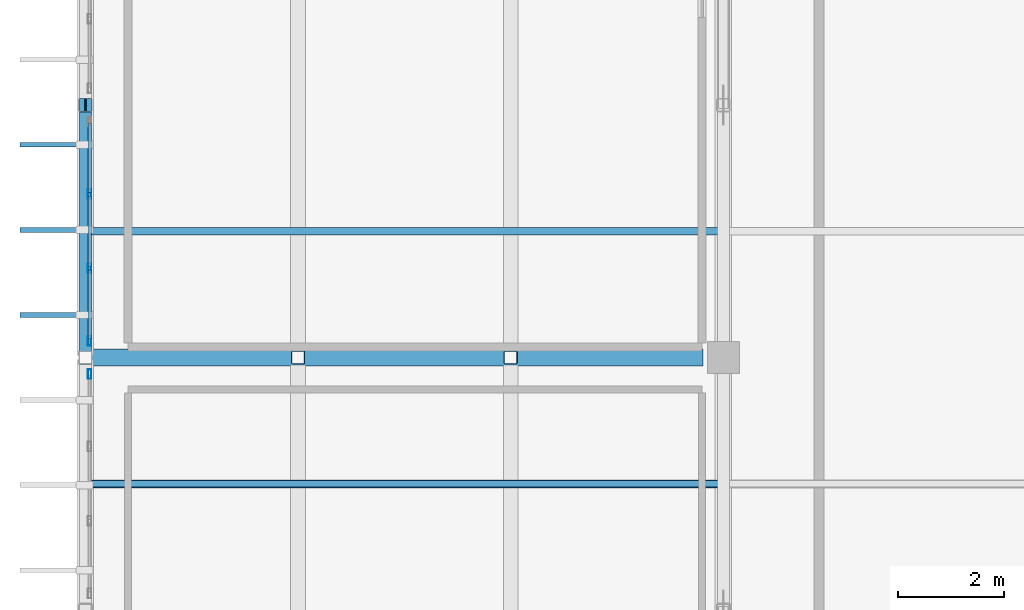
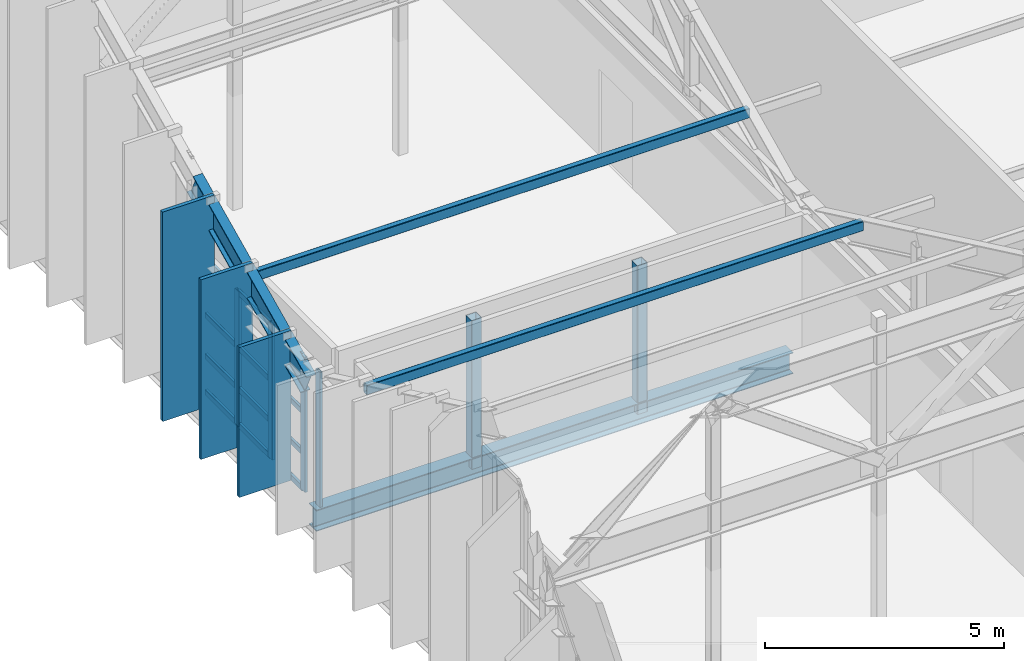
# One storey, part 18 of 68: 23 members, 2 beams, 2 elements without a shape of their own.
"""IFC4 building model written with IfcOpenShell, lengths in metres."""

from ifc_helpers import new_model, si_unit, direction, frame, origin, origin_2d, place, context, subcontext, project, spatial, rectangle, hollow_rectangle, i_section, extrude, material, material_profile, profile_set, type_object, element, aggregate, save


model = new_model("IFC4")

# Units and contexts
model_context = context("Model", 3, precision=1e-05, world=origin(), true_north=direction((0.0, 1.0)))
body_context = subcontext(model_context, "Body", "Model", "MODEL_VIEW")
ifc_project = project(units=[si_unit("LENGTHUNIT", "METRE"), si_unit("AREAUNIT", "SQUARE_METRE"), si_unit("VOLUMEUNIT", "CUBIC_METRE"), si_unit("PLANEANGLEUNIT", "RADIAN"), si_unit("MASSUNIT", "GRAM", prefix="KILO")], contexts=[model_context])

# Site, building, storey
site_placement = place(None, origin())
site = spatial("IfcSite", under=ifc_project, at=site_placement, CompositionType="ELEMENT")
building_placement = place(site_placement, origin())
building = spatial("IfcBuilding", under=site, at=building_placement, Name="Miravela Opera House", CompositionType="ELEMENT")
storey_placement = place(building_placement, frame((0.0, 0.0, 21.760009765625)))
storey = spatial("IfcBuildingStorey", under=building, at=storey_placement, Name="L05", CompositionType="ELEMENT", Elevation=21.760009765625)

# Curtain wall, member
ifc_material_1 = material(Name="Anodised architectural bronze aluminium 6063-T6", Category="aluminium")
curtain_wall_type = type_object("IfcCurtainWallType", Name="ARC-CW-03", PredefinedType="NOTDEFINED", material=ifc_material_1)
curtain_wall_1_placement = place(storey_placement, origin())
curtain_wall_1 = element("IfcCurtainWall", 1, at=curtain_wall_1_placement, inside=storey, type_object=curtain_wall_type, Name="Cantilever West Wrapper Glazing B4 CW-L05-050", PredefinedType="NOTDEFINED")
ifc_material_profile_1 = material_profile(ifc_material_1, hollow_rectangle(XDim=0.06494140625, YDim=0.179931640625, WallThickness=0.00390625, InnerFilletRadius=0.001953125, OuterFilletRadius=0.00390625, at=origin_2d()), Name="CWM-65X180")
ifc_profile_set_1 = profile_set([ifc_material_profile_1])
member_type_1 = type_object("IfcMemberType", Name="ARC-CWM-180", PredefinedType="MULLION", material=ifc_profile_set_1)
member_1_placement = place(storey_placement, frame((15.080078125, 55.6875, 0.0), z_axis=(0.0, 0.0, 1.0), x_axis=(-1.0, 0.0, 0.0)))
member_1 = element("IfcMember", 2, at=member_1_placement, type_object=member_type_1, Name="CW-03 mullion 4", PredefinedType="MULLION", context=body_context, shape_type="SweptSolid", body=[
    extrude(hollow_rectangle(XDim=0.06494140625, YDim=0.179931640625, WallThickness=0.00390625, InnerFilletRadius=0.001953125, OuterFilletRadius=0.00390625, at=origin_2d()), origin(), (0.0, 0.0, 1.0), 3.442626953125),
])
aggregate(curtain_wall_1, [member_1])

# Curtain wall, members
curtain_wall_2_placement = place(storey_placement, origin())
curtain_wall_2 = element("IfcCurtainWall", 3, at=curtain_wall_2_placement, inside=storey, type_object=curtain_wall_type, Name="Cantilever West Wrapper Glazing B5 CW-L05-051", PredefinedType="NOTDEFINED")
member_2_placement = place(storey_placement, frame((15.080078125, 56.3125, 0.0), z_axis=(0.0, 0.0, 1.0), x_axis=(-1.0, 0.0, 0.0)))
member_2 = element("IfcMember", 4, at=member_2_placement, type_object=member_type_1, Name="CW-03 mullion 1", PredefinedType="MULLION", context=body_context, shape_type="SweptSolid", body=[
    extrude(hollow_rectangle(XDim=0.06494140625, YDim=0.179931640625, WallThickness=0.00390625, InnerFilletRadius=0.001953125, OuterFilletRadius=0.00390625, at=origin_2d()), origin(), (0.0, 0.0, 1.0), 3.442626953125),
])
member_3_placement = place(storey_placement, frame((15.080078125, 57.6767578125, 0.0), z_axis=(0.0, 0.0, 1.0), x_axis=(-1.0, 0.0, 0.0)))
member_3 = element("IfcMember", 5, at=member_3_placement, type_object=member_type_1, Name="CW-03 mullion 2", PredefinedType="MULLION", context=body_context, shape_type="SweptSolid", body=[
    extrude(hollow_rectangle(XDim=0.06494140625, YDim=0.179931640625, WallThickness=0.00390625, InnerFilletRadius=0.001953125, OuterFilletRadius=0.00390625, at=origin_2d()), origin(), (0.0, 0.0, 1.0), 3.442626953125),
])
member_4_placement = place(storey_placement, frame((15.080078125, 59.0732421875, 0.0), z_axis=(0.0, 0.0, 1.0), x_axis=(-1.0, 0.0, 0.0)))
member_4 = element("IfcMember", 6, at=member_4_placement, type_object=member_type_1, Name="CW-03 mullion 3", PredefinedType="MULLION", context=body_context, shape_type="SweptSolid", body=[
    extrude(hollow_rectangle(XDim=0.06494140625, YDim=0.179931640625, WallThickness=0.00390625, InnerFilletRadius=0.001953125, OuterFilletRadius=0.00390625, at=origin_2d()), origin(), (0.0, 0.0, 1.0), 3.442626953125),
])
ifc_material_profile_2 = material_profile(ifc_material_1, hollow_rectangle(XDim=0.06494140625, YDim=0.139892578125, WallThickness=0.00390625, InnerFilletRadius=0.001953125, OuterFilletRadius=0.00390625, at=origin_2d()), Name="CWT-65X140")
ifc_profile_set_2 = profile_set([ifc_material_profile_2])
member_type_2 = type_object("IfcMemberType", Name="ARC-CWT-140", PredefinedType="USERDEFINED", material=ifc_profile_set_2)
member_5_placement = place(storey_placement, frame((15.080078125, 56.344970703125, 0.032470703125), z_axis=(0.0, 1.0, 0.0), x_axis=(-1.0, 0.0, 0.0)))
member_5 = element("IfcMember", 7, at=member_5_placement, type_object=member_type_2, Name="CW-03 transom 1.1", ObjectType="TRANSOM", PredefinedType="USERDEFINED", context=body_context, shape_type="SweptSolid", body=[
    extrude(hollow_rectangle(XDim=0.06494140625, YDim=0.139892578125, WallThickness=0.00390625, InnerFilletRadius=0.001953125, OuterFilletRadius=0.00390625, at=origin_2d()), origin(), (0.0, 0.0, 1.0), 1.29931640625),
])
member_6_placement = place(storey_placement, frame((15.080078125, 56.344970703125, 0.949951171875), z_axis=(0.0, 1.0, 0.0), x_axis=(-1.0, 0.0, 0.0)))
member_6 = element("IfcMember", 8, at=member_6_placement, type_object=member_type_2, Name="CW-03 transom 1.2", ObjectType="TRANSOM", PredefinedType="USERDEFINED", context=body_context, shape_type="SweptSolid", body=[
    extrude(hollow_rectangle(XDim=0.06494140625, YDim=0.139892578125, WallThickness=0.00390625, InnerFilletRadius=0.001953125, OuterFilletRadius=0.00390625, at=origin_2d()), origin(), (0.0, 0.0, 1.0), 1.29931640625),
])
member_7_placement = place(storey_placement, frame((15.080078125, 56.344970703125, 1.99658203125), z_axis=(0.0, 1.0, 0.0), x_axis=(-1.0, 0.0, 0.0)))
member_7 = element("IfcMember", 9, at=member_7_placement, type_object=member_type_2, Name="CW-03 transom 1.3", ObjectType="TRANSOM", PredefinedType="USERDEFINED", context=body_context, shape_type="SweptSolid", body=[
    extrude(hollow_rectangle(XDim=0.06494140625, YDim=0.139892578125, WallThickness=0.00390625, InnerFilletRadius=0.001953125, OuterFilletRadius=0.00390625, at=origin_2d()), origin(), (0.0, 0.0, 1.0), 1.29931640625),
])
member_8_placement = place(storey_placement, frame((15.080078125, 56.344970703125, 3.41015625), z_axis=(0.0, 1.0, 0.0), x_axis=(-1.0, 0.0, 0.0)))
member_8 = element("IfcMember", 10, at=member_8_placement, type_object=member_type_2, Name="CW-03 transom 1.4", ObjectType="TRANSOM", PredefinedType="USERDEFINED", context=body_context, shape_type="SweptSolid", body=[
    extrude(hollow_rectangle(XDim=0.06494140625, YDim=0.139892578125, WallThickness=0.00390625, InnerFilletRadius=0.001953125, OuterFilletRadius=0.00390625, at=origin_2d()), origin(), (0.0, 0.0, 1.0), 1.29931640625),
])
member_9_placement = place(storey_placement, frame((15.080078125, 57.709228515625, 0.032470703125), z_axis=(0.0, 1.0, 0.0), x_axis=(-1.0, 0.0, 0.0)))
member_9 = element("IfcMember", 11, at=member_9_placement, type_object=member_type_2, Name="CW-03 transom 2.1", ObjectType="TRANSOM", PredefinedType="USERDEFINED", context=body_context, shape_type="SweptSolid", body=[
    extrude(hollow_rectangle(XDim=0.06494140625, YDim=0.139892578125, WallThickness=0.00390625, InnerFilletRadius=0.001953125, OuterFilletRadius=0.00390625, at=origin_2d()), origin(), (0.0, 0.0, 1.0), 1.33154296875),
])
member_10_placement = place(storey_placement, frame((15.080078125, 57.709228515625, 0.949951171875), z_axis=(0.0, 1.0, 0.0), x_axis=(-1.0, 0.0, 0.0)))
member_10 = element("IfcMember", 12, at=member_10_placement, type_object=member_type_2, Name="CW-03 transom 2.2", ObjectType="TRANSOM", PredefinedType="USERDEFINED", context=body_context, shape_type="SweptSolid", body=[
    extrude(hollow_rectangle(XDim=0.06494140625, YDim=0.139892578125, WallThickness=0.00390625, InnerFilletRadius=0.001953125, OuterFilletRadius=0.00390625, at=origin_2d()), origin(), (0.0, 0.0, 1.0), 1.33154296875),
])
member_11_placement = place(storey_placement, frame((15.080078125, 57.709228515625, 1.99658203125), z_axis=(0.0, 1.0, 0.0), x_axis=(-1.0, 0.0, 0.0)))
member_11 = element("IfcMember", 13, at=member_11_placement, type_object=member_type_2, Name="CW-03 transom 2.3", ObjectType="TRANSOM", PredefinedType="USERDEFINED", context=body_context, shape_type="SweptSolid", body=[
    extrude(hollow_rectangle(XDim=0.06494140625, YDim=0.139892578125, WallThickness=0.00390625, InnerFilletRadius=0.001953125, OuterFilletRadius=0.00390625, at=origin_2d()), origin(), (0.0, 0.0, 1.0), 1.33154296875),
])
member_12_placement = place(storey_placement, frame((15.080078125, 57.709228515625, 3.41015625), z_axis=(0.0, 1.0, 0.0), x_axis=(-1.0, 0.0, 0.0)))
member_12 = element("IfcMember", 14, at=member_12_placement, type_object=member_type_2, Name="CW-03 transom 2.4", ObjectType="TRANSOM", PredefinedType="USERDEFINED", context=body_context, shape_type="SweptSolid", body=[
    extrude(hollow_rectangle(XDim=0.06494140625, YDim=0.139892578125, WallThickness=0.00390625, InnerFilletRadius=0.001953125, OuterFilletRadius=0.00390625, at=origin_2d()), origin(), (0.0, 0.0, 1.0), 1.33154296875),
])
member_13_placement = place(storey_placement, frame((15.080078125, 59.105712890625, 0.032470703125), z_axis=(0.0, 1.0, 0.0), x_axis=(-1.0, 0.0, 0.0)))
member_13 = element("IfcMember", 15, at=member_13_placement, type_object=member_type_2, Name="CW-03 transom 3.1", ObjectType="TRANSOM", PredefinedType="USERDEFINED", context=body_context, shape_type="SweptSolid", body=[
    extrude(hollow_rectangle(XDim=0.06494140625, YDim=0.139892578125, WallThickness=0.00390625, InnerFilletRadius=0.001953125, OuterFilletRadius=0.00390625, at=origin_2d()), origin(), (0.0, 0.0, 1.0), 1.29931640625),
])
member_14_placement = place(storey_placement, frame((15.080078125, 59.105712890625, 0.949951171875), z_axis=(0.0, 1.0, 0.0), x_axis=(-1.0, 0.0, 0.0)))
member_14 = element("IfcMember", 16, at=member_14_placement, type_object=member_type_2, Name="CW-03 transom 3.2", ObjectType="TRANSOM", PredefinedType="USERDEFINED", context=body_context, shape_type="SweptSolid", body=[
    extrude(hollow_rectangle(XDim=0.06494140625, YDim=0.139892578125, WallThickness=0.00390625, InnerFilletRadius=0.001953125, OuterFilletRadius=0.00390625, at=origin_2d()), origin(), (0.0, 0.0, 1.0), 1.29931640625),
])
member_15_placement = place(storey_placement, frame((15.080078125, 59.105712890625, 1.99658203125), z_axis=(0.0, 1.0, 0.0), x_axis=(-1.0, 0.0, 0.0)))
member_15 = element("IfcMember", 17, at=member_15_placement, type_object=member_type_2, Name="CW-03 transom 3.3", ObjectType="TRANSOM", PredefinedType="USERDEFINED", context=body_context, shape_type="SweptSolid", body=[
    extrude(hollow_rectangle(XDim=0.06494140625, YDim=0.139892578125, WallThickness=0.00390625, InnerFilletRadius=0.001953125, OuterFilletRadius=0.00390625, at=origin_2d()), origin(), (0.0, 0.0, 1.0), 1.29931640625),
])
member_16_placement = place(storey_placement, frame((15.080078125, 59.105712890625, 3.41015625), z_axis=(0.0, 1.0, 0.0), x_axis=(-1.0, 0.0, 0.0)))
member_16 = element("IfcMember", 18, at=member_16_placement, type_object=member_type_2, Name="CW-03 transom 3.4", ObjectType="TRANSOM", PredefinedType="USERDEFINED", context=body_context, shape_type="SweptSolid", body=[
    extrude(hollow_rectangle(XDim=0.06494140625, YDim=0.139892578125, WallThickness=0.00390625, InnerFilletRadius=0.001953125, OuterFilletRadius=0.00390625, at=origin_2d()), origin(), (0.0, 0.0, 1.0), 1.29931640625),
])
aggregate(curtain_wall_2, [member_2, member_3, member_4, member_5, member_6, member_7, member_8, member_9, member_10, member_11, member_12, member_13, member_14, member_15, member_16])

# Members
ifc_material_profile_3 = material_profile(ifc_material_1, rectangle(XDim=0.090087890625, YDim=1.25, at=origin_2d()), Name="FIN-1250X90")
ifc_profile_set_3 = profile_set([ifc_material_profile_3])
member_type_3 = type_object("IfcMemberType", Name="ARC-FIN-1250", PredefinedType="USERDEFINED", material=ifc_profile_set_3)
member_17_placement = place(storey_placement, frame((14.39501953125, 56.800048828125, 0.0), z_axis=(0.0, 0.0, 1.0), x_axis=(0.0, 1.0, 0.0)))
element("IfcMember", 19, at=member_17_placement, inside=storey, type_object=member_type_3, Name="Auditorium Wrapper Bronze Solar Fin FIN-L05-WEST-0153", ObjectType="FIN", PredefinedType="USERDEFINED", context=body_context, shape_type="SweptSolid", body=[
    extrude(rectangle(XDim=0.090087890625, YDim=1.25, at=origin_2d()), origin(), (0.0, 0.0, 1.0), 3.828857421875),
])
member_18_placement = place(storey_placement, frame((14.39501953125, 58.39990234375, 0.0), z_axis=(0.0, 0.0, 1.0), x_axis=(0.0, 1.0, 0.0)))
element("IfcMember", 20, at=member_18_placement, inside=storey, type_object=member_type_3, Name="Auditorium Wrapper Bronze Solar Fin FIN-L05-WEST-0154", ObjectType="FIN", PredefinedType="USERDEFINED", context=body_context, shape_type="SweptSolid", body=[
    extrude(rectangle(XDim=0.090087890625, YDim=1.25, at=origin_2d()), origin(), (0.0, 0.0, 1.0), 4.586669921875),
])
member_19_placement = place(storey_placement, frame((14.39501953125, 60.0, 0.0), z_axis=(0.0, 0.0, 1.0), x_axis=(0.0, 1.0, 0.0)))
element("IfcMember", 21, at=member_19_placement, inside=storey, type_object=member_type_3, Name="Auditorium Wrapper Bronze Solar Fin FIN-L05-WEST-0155", ObjectType="FIN", PredefinedType="USERDEFINED", context=body_context, shape_type="SweptSolid", body=[
    extrude(rectangle(XDim=0.090087890625, YDim=1.25, at=origin_2d()), origin(), (0.0, 0.0, 1.0), 5.3447265625),
])

# Beams
ifc_material_2 = material(Name="Structural steel ASTM A992 Gr. 50", Category="steel")
ifc_material_profile_4 = material_profile(ifc_material_2, i_section(OverallWidth=0.31201171875, OverallDepth=0.54296875, WebThickness=0.0126953125, FlangeThickness=0.020263671875, FilletRadius=0.01611328125, at=origin_2d()), Name="W530X150")
ifc_profile_set_4 = profile_set([ifc_material_profile_4])
beam_type_1 = type_object("IfcBeamType", Name="STR-BM-W530X150", PredefinedType="BEAM", material=ifc_profile_set_4)
beam_1_placement = place(storey_placement, frame((15.110107421875, 56.0, -0.511474609375), z_axis=(1.0, 0.0, 0.0), x_axis=(0.0, 1.0, 0.0)))
element("IfcBeam", 22, at=beam_1_placement, inside=storey, type_object=beam_type_1, Name="Cantilever Chord L05 T3", PredefinedType="BEAM", context=body_context, shape_type="SweptSolid", body=[
    extrude(i_section(OverallWidth=0.31201171875, OverallDepth=0.54296875, WebThickness=0.0126953125, FlangeThickness=0.020263671875, FilletRadius=0.01611328125, at=origin_2d()), origin(), (0.0, 0.0, 1.0), 11.510009765625),
])
ifc_material_profile_5 = material_profile(ifc_material_2, i_section(OverallWidth=0.22998046875, OverallDepth=0.616943359375, WebThickness=0.01318359375, FlangeThickness=0.022216796875, FilletRadius=0.01806640625, at=origin_2d()), Name="W610X140")
ifc_profile_set_5 = profile_set([ifc_material_profile_5])
beam_type_2 = type_object("IfcBeamType", Name="STR-BM-W610X140", PredefinedType="BEAM", material=ifc_profile_set_5)
beam_2_placement = place(storey_placement, frame((15.0, 56.0, 2.939453125), z_axis=(0.0, 0.903737838894, 0.428086344739), x_axis=(-1.0, 0.0, 0.0)))
element("IfcBeam", 23, at=beam_2_placement, inside=storey, type_object=beam_type_2, Name="V-Crest Roof Rafter Girder X=15 Seg 5", PredefinedType="BEAM", context=body_context, shape_type="SweptSolid", body=[
    extrude(i_section(OverallWidth=0.22998046875, OverallDepth=0.616943359375, WebThickness=0.01318359375, FlangeThickness=0.022216796875, FilletRadius=0.01806640625, at=origin_2d()), origin(), (0.0, 0.0, 1.0), 5.255859375),
])

# Members
ifc_material_3 = material(Name="Hollow structural steel ASTM A500 Gr. C", Category="steel")
ifc_material_profile_6 = material_profile(ifc_material_3, hollow_rectangle(XDim=0.25, YDim=0.25, WallThickness=0.011962890625, InnerFilletRadius=0.011962890625, OuterFilletRadius=0.02392578125, at=origin_2d()), Name="HSS250X250X12")
ifc_profile_set_6 = profile_set([ifc_material_profile_6])
member_type_4 = type_object("IfcMemberType", Name="STR-MEM-CANT-POST2", PredefinedType="POST", material=ifc_profile_set_6)
for number, where, z_axis, x_axis, name in (
    (24, (19.0, 56.0, -0.5400390625), (0.0, 0.0, 1.0), (1.0, 0.0, 0.0), "Upper Wrapper Truss Post L05 X=19.0"),
    (25, (23.0, 56.0, -0.5400390625), (0.0, 0.0, 1.0), (1.0, 0.0, 0.0), "Upper Wrapper Truss Post L05 X=23.0"),
):
    element("IfcMember", number, at=place(storey_placement, frame(where, z_axis=z_axis, x_axis=x_axis)), inside=storey, type_object=member_type_4, Name=name, PredefinedType="POST", context=body_context, shape_type="SweptSolid", body=[
        extrude(hollow_rectangle(XDim=0.25, YDim=0.25, WallThickness=0.011962890625, InnerFilletRadius=0.011962890625, OuterFilletRadius=0.02392578125, at=origin_2d()), origin(), (0.0, 0.0, 1.0), 3.7900390625),
    ])
ifc_material_profile_7 = material_profile(ifc_material_3, hollow_rectangle(XDim=0.14990234375, YDim=0.25, WallThickness=0.011962890625, InnerFilletRadius=0.011962890625, OuterFilletRadius=0.02392578125, at=origin_2d()), Name="HSS250X150X12")
ifc_profile_set_7 = profile_set([ifc_material_profile_7])
member_type_5 = type_object("IfcMemberType", Name="STR-MEM-PURLIN-1", PredefinedType="PURLIN", material=ifc_profile_set_7)
for number, where, z_axis, x_axis, name in (
    (26, (15.010009765625, 53.625, 4.244873046875), (1.0, 0.0, 0.0), (0.0, 1.0, 0.0), "V-Roof Steel Purlin B4.1"),
    (27, (15.010009765625, 58.375, 4.244873046875), (1.0, 0.0, 0.0), (0.0, 1.0, 0.0), "V-Roof Steel Purlin B5.1"),
):
    element("IfcMember", number, at=place(storey_placement, frame(where, z_axis=z_axis, x_axis=x_axis)), inside=storey, type_object=member_type_5, Name=name, PredefinedType="PURLIN", context=body_context, shape_type="SweptSolid", body=[
        extrude(hollow_rectangle(XDim=0.14990234375, YDim=0.25, WallThickness=0.011962890625, InnerFilletRadius=0.011962890625, OuterFilletRadius=0.02392578125, at=origin_2d()), origin(), (0.0, 0.0, 1.0), 11.97998046875),
    ])

save(model, "model.ifc")
